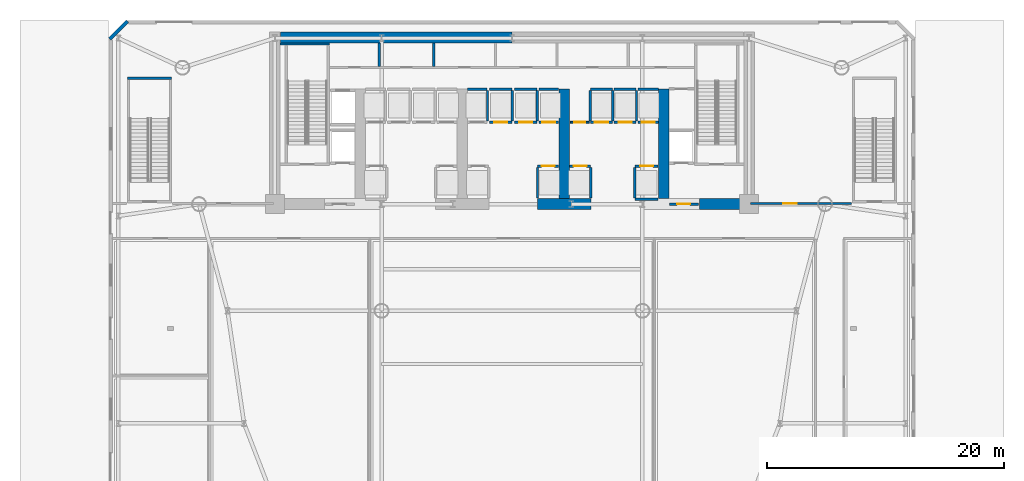
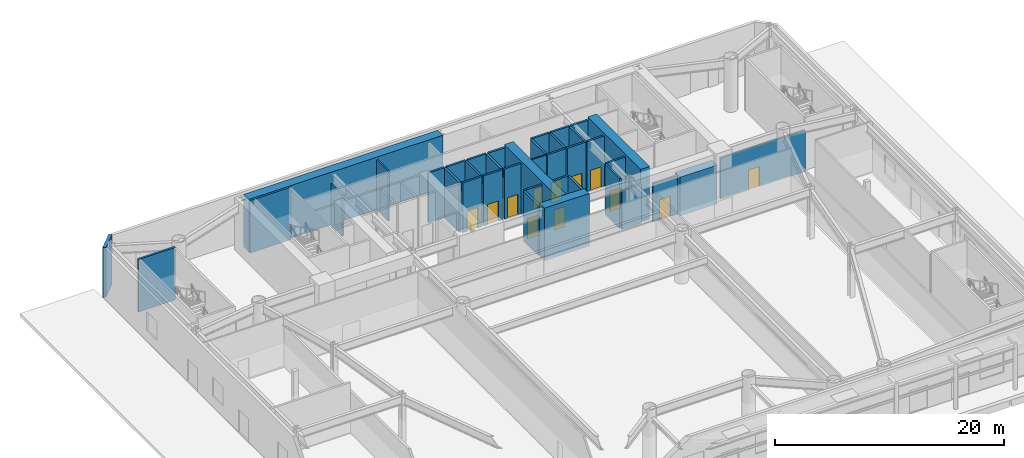
# One storey, part 9 of 20: 39 walls, 12 doors, 12 openings.
"""IFC4 building model written with IfcOpenShell, lengths in metres."""

from ifc_helpers import new_model, si_unit, direction, frame, frame_2d, origin, place, context, subcontext, project, spatial, rectangle, extrude, source, transform, mapped, material, layer, layer_set, type_object, element, fill, save


model = new_model("IFC4")

# Units and contexts
model_context = context("Model", 3, precision=1e-05, world=origin(), true_north=direction((0.0, 1.0)))
body_context = subcontext(model_context, "Body", "Model", "MODEL_VIEW")
ifc_project = project(units=[si_unit("LENGTHUNIT", "METRE"), si_unit("AREAUNIT", "SQUARE_METRE"), si_unit("VOLUMEUNIT", "CUBIC_METRE"), si_unit("PLANEANGLEUNIT", "RADIAN"), si_unit("MASSUNIT", "GRAM", prefix="KILO")], contexts=[model_context])

# Site, building, storey
site_placement = place(None, origin())
site = spatial("IfcSite", under=ifc_project, at=site_placement, CompositionType="ELEMENT")
building_placement = place(site_placement, origin())
building = spatial("IfcBuilding", under=site, at=building_placement, Name="Vaeldorn Concourse Tower", CompositionType="ELEMENT")
storey_placement = place(building_placement, origin())
storey = spatial("IfcBuildingStorey", under=building, at=storey_placement, Name="L00", CompositionType="ELEMENT", Elevation=0.0)

# Walls
ifc_material_1 = material(Name="Concrete C60/75", Category="concrete")
ifc_layer_1 = layer(ifc_material_1, 0.89990234375)
ifc_layer_set_1 = layer_set([ifc_layer_1], Name="Concrete C60/75")
wall_type_1 = type_object("IfcWallType", Name="WL-CORE-900", PredefinedType="SHEAR", material=ifc_layer_set_1)
wall_1_placement = place(storey_placement, frame((14.4541015625, 50.550048828125, 0.0), z_axis=(0.0, 0.0, 1.0), x_axis=(1.0, 0.0, 0.0)))
element("IfcWall", 1, at=wall_1_placement, inside=storey, type_object=wall_type_1, Name="Rear Core Shear Wall L00 N1", PredefinedType="SHEAR", context=body_context, shape_type="SweptSolid", body=[
    extrude(rectangle(XDim=19.5439453125, YDim=0.89990234375, at=frame_2d((9.77197265625, 0.0))), origin(), (0.0, 0.0, 1.0), 5.60009765625),
])
wall_2_placement = place(storey_placement, frame((36.14990234375, 36.5, 0.0), z_axis=(0.0, 0.0, 1.0), x_axis=(1.0, 0.0, 0.0)))
element("IfcWall", 2, at=wall_2_placement, inside=storey, type_object=wall_type_1, Name="Rear Core Shear Wall L00 S3", PredefinedType="SHEAR", context=body_context, shape_type="SweptSolid", body=[
    extrude(rectangle(XDim=4.5, YDim=0.89990234375, at=frame_2d((2.25, 0.0))), origin(), (0.0, 0.0, 1.0), 5.60009765625),
])
wall_3_placement = place(storey_placement, frame((49.800048828125, 36.5, 0.0), z_axis=(0.0, 0.0, 1.0), x_axis=(1.0, 0.0, 0.0)))
element("IfcWall", 3, at=wall_3_placement, inside=storey, type_object=wall_type_1, Name="Rear Core Shear Wall L00 S4", PredefinedType="SHEAR", context=body_context, shape_type="SweptSolid", body=[
    extrude(rectangle(XDim=3.72998046875, YDim=0.89990234375, at=frame_2d((1.864990234375, 0.0))), origin(), (0.0, 0.0, 1.0), 4.1201171875),
])
for number, where, z_axis, x_axis, name in (
    (4, (38.39990234375, 36.969970703125, 0.0), (0.0, 0.0, 1.0), (0.0, 1.0, 0.0), "Rear Core Shear Wall L00 M3"),
    (5, (46.800048828125, 36.969970703125, 0.0), (0.0, 0.0, 1.0), (0.0, 1.0, 0.0), "Rear Core Shear Wall L00 M4"),
):
    element("IfcWall", number, at=place(storey_placement, frame(where, z_axis=z_axis, x_axis=x_axis)), inside=storey, type_object=wall_type_1, Name=name, PredefinedType="SHEAR", context=body_context, shape_type="SweptSolid", body=[
        extrude(rectangle(XDim=9.22998046875, YDim=0.89990234375, at=frame_2d((4.614990234375, 0.0))), origin(), (0.0, 0.0, 1.0), 5.60009765625),
    ])
ifc_material_2 = material(Name="Precast concrete C40/50", Category="concrete")
ifc_layer_2 = layer(ifc_material_2, 0.300048828125)
ifc_layer_set_2 = layer_set([ifc_layer_2], Name="Precast concrete C40/50")
wall_type_2 = type_object("IfcWallType", Name="WL-EXT-STATION-300", PredefinedType="STANDARD", material=ifc_layer_set_2)
wall_4_placement = place(storey_placement, frame((0.079345703125, 50.42919921875, 0.0), z_axis=(0.0, 0.0, 1.0), x_axis=(0.707106781187, 0.707106781187, 0.0)))
element("IfcWall", 6, at=wall_4_placement, inside=storey, type_object=wall_type_2, Name="Station Ground Exterior Wall EW-L00-NW", PredefinedType="STANDARD", context=body_context, shape_type="SweptSolid", body=[
    extrude(rectangle(XDim=2.109130859375, YDim=0.300048828125, at=frame_2d((1.0546875, 0.0))), origin(), (0.0, 0.0, 1.0), 5.320068359375),
])

# Wall, opening, door
ifc_material_3 = material(Name="Gypsum Board Partition", Category="gypsum")
ifc_layer_3 = layer(ifc_material_3, 0.14990234375)
ifc_layer_set_3 = layer_set([ifc_layer_3], Name="Gypsum Board Partition")
wall_type_3 = type_object("IfcWallType", Name="WL-PART-150", PredefinedType="PARTITIONING", material=ifc_layer_set_3)
wall_5_placement = place(storey_placement, frame((38.919921875, 43.39990234375, 0.0), z_axis=(0.0, 0.0, 1.0), x_axis=(1.0, 0.0, 0.0)))
wall_5 = element("IfcWall", 7, at=wall_5_placement, inside=storey, type_object=wall_type_3, Name="Interior Wall CW-L00-CCLINK", PredefinedType="PARTITIONING", context=body_context, shape_type="SweptSolid", body=[
    extrude(rectangle(XDim=1.60009765625, YDim=0.14990234375, at=frame_2d((0.800048828125, 0.0))), origin(), (0.0, 0.0, 1.0), 5.320068359375),
])
opening_1_placement = place(wall_5_placement, frame((0.35009765625, 0.0, 0.0)))
opening_1 = element("IfcOpeningElement", 8, at=opening_1_placement, cuts=wall_5, Name="Opening D-02", PredefinedType="OPENING", context=body_context, shape_type="SweptSolid", body=[
    extrude(rectangle(XDim=0.89990234375, YDim=2.10009765625, at=frame_2d((0.449951171875, 1.050048828125))), frame((0.0, 0.0849609375, 0.0), z_axis=(0.0, -1.0, 0.0), x_axis=(1.0, 0.0, 0.0)), (0.0, 0.0, 1.0), 0.169921875),
])
ifc_material_4 = material(Name="Fire-Rated Timber Leaf", Category="wood")
door_type_1 = type_object("IfcDoorType", Name="DR-FD30-900", OperationType="NOTDEFINED", PredefinedType="DOOR", material=ifc_material_4)
shared_shape_1 = source(origin(), body_context, "Body", "SweptSolid", [
    extrude(rectangle(XDim=0.89990234375, YDim=2.10009765625, at=frame_2d((0.449951171875, 1.050048828125))), frame((0.0, 0.02490234375, 0.0), z_axis=(0.0, -1.0, 0.0), x_axis=(1.0, 0.0, 0.0)), (0.0, 0.0, 1.0), 0.050048828125),
])
door_1_placement = place(opening_1_placement, origin())
door_1 = element("IfcDoor", 9, at=door_1_placement, inside=storey, type_object=door_type_1, Name="Interior Door DR-L00-CCLINK", OperationType="SINGLE_SWING_LEFT", OverallHeight=2.10009765625, OverallWidth=0.89990234375, PredefinedType="DOOR", context=body_context, shape_type="MappedRepresentation", body=[
    mapped(shared_shape_1, transform((0.0, 0.0, 0.0), scale=1.0)),
])
fill(opening_1, door_1)

# Walls
ifc_layer_4 = layer(ifc_material_3, 0.179931640625)
ifc_layer_set_4 = layer_set([ifc_layer_4], Name="Gypsum Board Partition")
wall_type_4 = type_object("IfcWallType", Name="WL-PLUMB-180", PredefinedType="PLUMBINGWALL", material=ifc_layer_set_4)
wall_6_placement = place(storey_placement, frame((22.800048828125, 48.10009765625, 0.0), z_axis=(0.0, 0.0, 1.0), x_axis=(0.0, 1.0, 0.0)))
element("IfcWall", 10, at=wall_6_placement, inside=storey, type_object=wall_type_4, Name="Interior Wall CW-L00-NDIV1", PredefinedType="PLUMBINGWALL", context=body_context, shape_type="SweptSolid", body=[
    extrude(rectangle(XDim=1.97998046875, YDim=0.179931640625, at=frame_2d((0.989990234375, 0.0))), origin(), (0.0, 0.0, 1.0), 4.39990234375),
])
wall_7_placement = place(storey_placement, frame((27.39990234375, 48.10009765625, 0.0), z_axis=(0.0, 0.0, 1.0), x_axis=(0.0, 1.0, 0.0)))
element("IfcWall", 11, at=wall_7_placement, inside=storey, type_object=wall_type_4, Name="Interior Wall CW-L00-NDIV2", PredefinedType="PLUMBINGWALL", context=body_context, shape_type="SweptSolid", body=[
    extrude(rectangle(XDim=1.97998046875, YDim=0.179931640625, at=frame_2d((0.989990234375, 0.0))), origin(), (0.0, 0.0, 1.0), 5.320068359375),
])
ifc_material_5 = material(Name="Concrete C50/60", Category="concrete")
ifc_layer_5 = layer(ifc_material_5, 0.199951171875)
ifc_layer_set_5 = layer_set([ifc_layer_5], Name="Concrete C50/60")
wall_type_5 = type_object("IfcWallType", Name="WL-SHAFT-200", PredefinedType="SOLIDWALL", material=ifc_layer_set_5)
wall_8_placement = place(storey_placement, frame((14.449951171875, 50.0, 0.0), z_axis=(0.0, 0.0, 1.0), x_axis=(1.0, 0.0, 0.0)))
element("IfcWall", 12, at=wall_8_placement, inside=storey, type_object=wall_type_5, Name="Stair Shaft Wall CW-L00-ST-1-N", PredefinedType="SOLIDWALL", context=body_context, shape_type="SweptSolid", body=[
    extrude(rectangle(XDim=4.150146484375, YDim=0.199951171875, at=frame_2d((2.0751953125, 0.0))), origin(), (0.0, 0.0, 1.0), 5.60009765625),
])

# Wall, opening, door
wall_9_placement = place(storey_placement, frame((47.280029296875, 36.5, 0.0), z_axis=(0.0, 0.0, 1.0), x_axis=(1.0, 0.0, 0.0)))
wall_9 = element("IfcWall", 13, at=wall_9_placement, inside=storey, type_object=wall_type_5, Name="Interior Wall CW-L00-FF2S", PredefinedType="SOLIDWALL", context=body_context, shape_type="SweptSolid", body=[
    extrude(rectangle(XDim=2.469970703125, YDim=0.199951171875, at=frame_2d((1.23486328125, 0.0))), origin(), (0.0, 0.0, 1.0), 4.110107421875),
])
opening_2_placement = place(wall_9_placement, frame((0.64990234375, 0.0, 0.0)))
opening_2 = element("IfcOpeningElement", 14, at=opening_2_placement, cuts=wall_9, Name="Opening D-01", PredefinedType="OPENING", context=body_context, shape_type="SweptSolid", body=[
    extrude(rectangle(XDim=1.10009765625, YDim=2.14990234375, at=frame_2d((0.550048828125, 1.074951171875))), frame((0.0, 0.10986328125, 0.0), z_axis=(0.0, -1.0, 0.0), x_axis=(1.0, 0.0, 0.0)), (0.0, 0.0, 1.0), 0.219970703125),
])
ifc_material_6 = material(Name="Fire-Rated Timber and Steel Leaf", Category="steel")
door_type_2 = type_object("IfcDoorType", Name="DR-FD60-1100", OperationType="NOTDEFINED", PredefinedType="DOOR", material=ifc_material_6)
shared_shape_2 = source(origin(), body_context, "Body", "SweptSolid", [
    extrude(rectangle(XDim=1.10009765625, YDim=2.14990234375, at=frame_2d((0.550048828125, 1.074951171875))), frame((0.0, 0.02490234375, 0.0), z_axis=(0.0, -1.0, 0.0), x_axis=(1.0, 0.0, 0.0)), (0.0, 0.0, 1.0), 0.050048828125),
])
door_2_placement = place(opening_2_placement, origin())
door_2 = element("IfcDoor", 15, at=door_2_placement, inside=storey, type_object=door_type_2, Name="Interior Door DR-L00-FF2W", OperationType="SINGLE_SWING_LEFT", OverallHeight=2.14990234375, OverallWidth=1.10009765625, PredefinedType="DOOR", context=body_context, shape_type="MappedRepresentation", body=[
    mapped(shared_shape_2, transform((0.0, 0.0, 0.0), scale=1.0)),
])
fill(opening_2, door_2)

wall_10_placement = place(storey_placement, frame((36.169921875, 39.699951171875, 0.0), z_axis=(0.0, 0.0, 1.0), x_axis=(1.0, 0.0, 0.0)))
wall_10 = element("IfcWall", 16, at=wall_10_placement, inside=storey, type_object=wall_type_5, Name="Interior Wall CW-L00-LF-LF-08", PredefinedType="SOLIDWALL", context=body_context, shape_type="SweptSolid", body=[
    extrude(rectangle(XDim=1.77001953125, YDim=0.199951171875, at=frame_2d((0.885009765625, 0.0))), origin(), (0.0, 0.0, 1.0), 5.320068359375),
])
opening_3_placement = place(wall_10_placement, frame((0.3349609375, 0.0, 0.0)))
opening_3 = element("IfcOpeningElement", 17, at=opening_3_placement, cuts=wall_10, Name="Opening LD-1", PredefinedType="OPENING", context=body_context, shape_type="SweptSolid", body=[
    extrude(rectangle(XDim=1.10009765625, YDim=2.14990234375, at=frame_2d((0.550048828125, 1.074951171875))), frame((0.0, 0.10986328125, 0.0), z_axis=(0.0, -1.0, 0.0), x_axis=(1.0, 0.0, 0.0)), (0.0, 0.0, 1.0), 0.219970703125),
])
ifc_material_7 = material(Name="Anodised Bronze Aluminium", Category="aluminium")
door_type_3 = type_object("IfcDoorType", Name="DR-LIFT-SLIDE-1100", OperationType="DOUBLE_DOOR_SLIDING", PredefinedType="DOOR", material=ifc_material_7)
door_3_placement = place(opening_3_placement, origin())
door_3 = element("IfcDoor", 18, at=door_3_placement, inside=storey, type_object=door_type_3, Name="Lift Landing Door LD-L00-LF-08", OperationType="DOUBLE_DOOR_SLIDING", OverallHeight=2.14990234375, OverallWidth=1.10009765625, PredefinedType="DOOR", context=body_context, shape_type="MappedRepresentation", body=[
    mapped(shared_shape_2, transform((0.0, 0.0, 0.0), scale=1.0)),
])
fill(opening_3, door_3)

# Walls
wall_11_placement = place(storey_placement, frame((36.14990234375, 37.02001953125, 0.0), z_axis=(0.0, 0.0, 1.0), x_axis=(0.0, 1.0, 0.0)))
element("IfcWall", 19, at=wall_11_placement, inside=storey, type_object=wall_type_5, Name="Interior Wall CW-L00-LFW-LF-08", PredefinedType="SOLIDWALL", context=body_context, shape_type="SweptSolid", body=[
    extrude(rectangle(XDim=2.56005859375, YDim=0.199951171875, at=frame_2d((1.280029296875, 0.0))), origin(), (0.0, 0.0, 1.0), 5.320068359375),
])
wall_12_placement = place(storey_placement, frame((30.260009765625, 46.199951171875, 0.0), z_axis=(0.0, 0.0, 1.0), x_axis=(1.0, 0.0, 0.0)))
element("IfcWall", 20, at=wall_12_placement, inside=storey, type_object=wall_type_5, Name="Interior Wall CW-L00-LFB-LF-09", PredefinedType="SOLIDWALL", context=body_context, shape_type="SweptSolid", body=[
    extrude(rectangle(XDim=1.64990234375, YDim=0.199951171875, at=frame_2d((0.824951171875, 0.0))), origin(), (0.0, 0.0, 1.0), 5.320068359375),
])
wall_13_placement = place(storey_placement, frame((31.929931640625, 43.52001953125, 0.0), z_axis=(0.0, 0.0, 1.0), x_axis=(0.0, 1.0, 0.0)))
element("IfcWall", 21, at=wall_13_placement, inside=storey, type_object=wall_type_5, Name="Interior Wall CW-L00-LFE-LF-09", PredefinedType="SOLIDWALL", context=body_context, shape_type="SweptSolid", body=[
    extrude(rectangle(XDim=2.56005859375, YDim=0.199951171875, at=frame_2d((1.280029296875, 0.0))), origin(), (0.0, 0.0, 1.0), 5.320068359375),
])

# Wall, opening, door
wall_14_placement = place(storey_placement, frame((32.090087890625, 43.39990234375, 0.0), z_axis=(0.0, 0.0, 1.0), x_axis=(1.0, 0.0, 0.0)))
wall_14 = element("IfcWall", 22, at=wall_14_placement, inside=storey, type_object=wall_type_5, Name="Interior Wall CW-L00-LF-LF-10", PredefinedType="SOLIDWALL", context=body_context, shape_type="SweptSolid", body=[
    extrude(rectangle(XDim=1.919921875, YDim=0.199951171875, at=frame_2d((0.9599609375, 0.0))), origin(), (0.0, 0.0, 1.0), 5.320068359375),
])
opening_4_placement = place(wall_14_placement, frame((0.409912109375, 0.0, 0.0)))
opening_4 = element("IfcOpeningElement", 23, at=opening_4_placement, cuts=wall_14, Name="Opening LD-1", PredefinedType="OPENING", context=body_context, shape_type="SweptSolid", body=[
    extrude(rectangle(XDim=1.10009765625, YDim=2.14990234375, at=frame_2d((0.550048828125, 1.074951171875))), frame((0.0, 0.10986328125, 0.0), z_axis=(0.0, -1.0, 0.0), x_axis=(1.0, 0.0, 0.0)), (0.0, 0.0, 1.0), 0.219970703125),
])
door_4_placement = place(opening_4_placement, origin())
door_4 = element("IfcDoor", 24, at=door_4_placement, inside=storey, type_object=door_type_3, Name="Lift Landing Door LD-L00-LF-10", OperationType="DOUBLE_DOOR_SLIDING", OverallHeight=2.14990234375, OverallWidth=1.10009765625, PredefinedType="DOOR", context=body_context, shape_type="MappedRepresentation", body=[
    mapped(shared_shape_2, transform((0.0, 0.0, 0.0), scale=1.0)),
])
fill(opening_4, door_4)

# Walls
wall_15_placement = place(storey_placement, frame((32.090087890625, 46.199951171875, 0.0), z_axis=(0.0, 0.0, 1.0), x_axis=(1.0, 0.0, 0.0)))
element("IfcWall", 25, at=wall_15_placement, inside=storey, type_object=wall_type_5, Name="Interior Wall CW-L00-LFB-LF-10", PredefinedType="SOLIDWALL", context=body_context, shape_type="SweptSolid", body=[
    extrude(rectangle(XDim=1.919921875, YDim=0.199951171875, at=frame_2d((0.9599609375, 0.0))), origin(), (0.0, 0.0, 1.0), 5.320068359375),
])
wall_16_placement = place(storey_placement, frame((34.030029296875, 43.52001953125, 0.0), z_axis=(0.0, 0.0, 1.0), x_axis=(0.0, 1.0, 0.0)))
element("IfcWall", 26, at=wall_16_placement, inside=storey, type_object=wall_type_5, Name="Interior Wall CW-L00-LFE-LF-10", PredefinedType="SOLIDWALL", context=body_context, shape_type="SweptSolid", body=[
    extrude(rectangle(XDim=2.56005859375, YDim=0.199951171875, at=frame_2d((1.280029296875, 0.0))), origin(), (0.0, 0.0, 1.0), 5.320068359375),
])

# Wall, opening, door
wall_17_placement = place(storey_placement, frame((34.18994140625, 43.39990234375, 0.0), z_axis=(0.0, 0.0, 1.0), x_axis=(1.0, 0.0, 0.0)))
wall_17 = element("IfcWall", 27, at=wall_17_placement, inside=storey, type_object=wall_type_5, Name="Interior Wall CW-L00-LF-LF-11", PredefinedType="SOLIDWALL", context=body_context, shape_type="SweptSolid", body=[
    extrude(rectangle(XDim=1.920166015625, YDim=0.199951171875, at=frame_2d((0.9599609375, 0.0))), origin(), (0.0, 0.0, 1.0), 5.320068359375),
])
opening_5_placement = place(wall_17_placement, frame((0.409912109375, 0.0, 0.0)))
opening_5 = element("IfcOpeningElement", 28, at=opening_5_placement, cuts=wall_17, Name="Opening LD-1", PredefinedType="OPENING", context=body_context, shape_type="SweptSolid", body=[
    extrude(rectangle(XDim=1.10009765625, YDim=2.14990234375, at=frame_2d((0.550048828125, 1.074951171875))), frame((0.0, 0.10986328125, 0.0), z_axis=(0.0, -1.0, 0.0), x_axis=(1.0, 0.0, 0.0)), (0.0, 0.0, 1.0), 0.219970703125),
])
door_5_placement = place(opening_5_placement, origin())
door_5 = element("IfcDoor", 29, at=door_5_placement, inside=storey, type_object=door_type_3, Name="Lift Landing Door LD-L00-LF-11", OperationType="DOUBLE_DOOR_SLIDING", OverallHeight=2.14990234375, OverallWidth=1.10009765625, PredefinedType="DOOR", context=body_context, shape_type="MappedRepresentation", body=[
    mapped(shared_shape_2, transform((0.0, 0.0, 0.0), scale=1.0)),
])
fill(opening_5, door_5)

# Walls
wall_18_placement = place(storey_placement, frame((34.18994140625, 46.199951171875, 0.0), z_axis=(0.0, 0.0, 1.0), x_axis=(1.0, 0.0, 0.0)))
element("IfcWall", 30, at=wall_18_placement, inside=storey, type_object=wall_type_5, Name="Interior Wall CW-L00-LFB-LF-11", PredefinedType="SOLIDWALL", context=body_context, shape_type="SweptSolid", body=[
    extrude(rectangle(XDim=1.920166015625, YDim=0.199951171875, at=frame_2d((0.9599609375, 0.0))), origin(), (0.0, 0.0, 1.0), 5.320068359375),
])
wall_19_placement = place(storey_placement, frame((36.1298828125, 43.52001953125, 0.0), z_axis=(0.0, 0.0, 1.0), x_axis=(0.0, 1.0, 0.0)))
element("IfcWall", 31, at=wall_19_placement, inside=storey, type_object=wall_type_5, Name="Interior Wall CW-L00-LFE-LF-11", PredefinedType="SOLIDWALL", context=body_context, shape_type="SweptSolid", body=[
    extrude(rectangle(XDim=2.56005859375, YDim=0.199951171875, at=frame_2d((1.280029296875, 0.0))), origin(), (0.0, 0.0, 1.0), 5.320068359375),
])

# Wall, opening, door
wall_20_placement = place(storey_placement, frame((36.2900390625, 43.39990234375, 0.0), z_axis=(0.0, 0.0, 1.0), x_axis=(1.0, 0.0, 0.0)))
wall_20 = element("IfcWall", 32, at=wall_20_placement, inside=storey, type_object=wall_type_5, Name="Interior Wall CW-L00-LF-LF-12", PredefinedType="SOLIDWALL", context=body_context, shape_type="SweptSolid", body=[
    extrude(rectangle(XDim=1.64990234375, YDim=0.199951171875, at=frame_2d((0.824951171875, 0.0))), origin(), (0.0, 0.0, 1.0), 5.320068359375),
])
opening_6_placement = place(wall_20_placement, frame((0.27490234375, 0.0, 0.0)))
opening_6 = element("IfcOpeningElement", 33, at=opening_6_placement, cuts=wall_20, Name="Opening LD-1", PredefinedType="OPENING", context=body_context, shape_type="SweptSolid", body=[
    extrude(rectangle(XDim=1.10009765625, YDim=2.14990234375, at=frame_2d((0.550048828125, 1.074951171875))), frame((0.0, 0.10986328125, 0.0), z_axis=(0.0, -1.0, 0.0), x_axis=(1.0, 0.0, 0.0)), (0.0, 0.0, 1.0), 0.219970703125),
])
door_6_placement = place(opening_6_placement, origin())
door_6 = element("IfcDoor", 34, at=door_6_placement, inside=storey, type_object=door_type_3, Name="Lift Landing Door LD-L00-LF-12", OperationType="DOUBLE_DOOR_SLIDING", OverallHeight=2.14990234375, OverallWidth=1.10009765625, PredefinedType="DOOR", context=body_context, shape_type="MappedRepresentation", body=[
    mapped(shared_shape_2, transform((0.0, 0.0, 0.0), scale=1.0)),
])
fill(opening_6, door_6)

# Wall
wall_21_placement = place(storey_placement, frame((36.2900390625, 46.199951171875, 0.0), z_axis=(0.0, 0.0, 1.0), x_axis=(1.0, 0.0, 0.0)))
element("IfcWall", 35, at=wall_21_placement, inside=storey, type_object=wall_type_5, Name="Interior Wall CW-L00-LFB-LF-12", PredefinedType="SOLIDWALL", context=body_context, shape_type="SweptSolid", body=[
    extrude(rectangle(XDim=1.64990234375, YDim=0.199951171875, at=frame_2d((0.824951171875, 0.0))), origin(), (0.0, 0.0, 1.0), 5.320068359375),
])

# Wall, opening, door
wall_22_placement = place(storey_placement, frame((38.860107421875, 39.699951171875, 0.0), z_axis=(0.0, 0.0, 1.0), x_axis=(1.0, 0.0, 0.0)))
wall_22 = element("IfcWall", 36, at=wall_22_placement, inside=storey, type_object=wall_type_5, Name="Interior Wall CW-L00-LF-LF-13", PredefinedType="SOLIDWALL", context=body_context, shape_type="SweptSolid", body=[
    extrude(rectangle(XDim=1.769775390625, YDim=0.199951171875, at=frame_2d((0.884765625, 0.0))), origin(), (0.0, 0.0, 1.0), 5.320068359375),
])
opening_7_placement = place(wall_22_placement, frame((0.3349609375, 0.0, 0.0)))
opening_7 = element("IfcOpeningElement", 37, at=opening_7_placement, cuts=wall_22, Name="Opening LD-1", PredefinedType="OPENING", context=body_context, shape_type="SweptSolid", body=[
    extrude(rectangle(XDim=1.10009765625, YDim=2.14990234375, at=frame_2d((0.550048828125, 1.074951171875))), frame((0.0, 0.10986328125, 0.0), z_axis=(0.0, -1.0, 0.0), x_axis=(1.0, 0.0, 0.0)), (0.0, 0.0, 1.0), 0.219970703125),
])
door_7_placement = place(opening_7_placement, origin())
door_7 = element("IfcDoor", 38, at=door_7_placement, inside=storey, type_object=door_type_3, Name="Lift Landing Door LD-L00-LF-13", OperationType="DOUBLE_DOOR_SLIDING", OverallHeight=2.14990234375, OverallWidth=1.10009765625, PredefinedType="DOOR", context=body_context, shape_type="MappedRepresentation", body=[
    mapped(shared_shape_2, transform((0.0, 0.0, 0.0), scale=1.0)),
])
fill(opening_7, door_7)

# Wall
wall_23_placement = place(storey_placement, frame((40.64990234375, 37.02001953125, 0.0), z_axis=(0.0, 0.0, 1.0), x_axis=(0.0, 1.0, 0.0)))
element("IfcWall", 39, at=wall_23_placement, inside=storey, type_object=wall_type_5, Name="Interior Wall CW-L00-LFE-LF-13", PredefinedType="SOLIDWALL", context=body_context, shape_type="SweptSolid", body=[
    extrude(rectangle(XDim=2.56005859375, YDim=0.199951171875, at=frame_2d((1.280029296875, 0.0))), origin(), (0.0, 0.0, 1.0), 5.320068359375),
])

# Wall, opening, door
wall_24_placement = place(storey_placement, frame((44.3701171875, 39.699951171875, 0.0), z_axis=(0.0, 0.0, 1.0), x_axis=(1.0, 0.0, 0.0)))
wall_24 = element("IfcWall", 40, at=wall_24_placement, inside=storey, type_object=wall_type_5, Name="Interior Wall CW-L00-LF-LF-14", PredefinedType="SOLIDWALL", context=body_context, shape_type="SweptSolid", body=[
    extrude(rectangle(XDim=1.9599609375, YDim=0.199951171875, at=frame_2d((0.97998046875, 0.0))), origin(), (0.0, 0.0, 1.0), 5.320068359375),
])
opening_8_placement = place(wall_24_placement, frame((0.429931640625, 0.0, 0.0)))
opening_8 = element("IfcOpeningElement", 41, at=opening_8_placement, cuts=wall_24, Name="Opening LD-1", PredefinedType="OPENING", context=body_context, shape_type="SweptSolid", body=[
    extrude(rectangle(XDim=1.10009765625, YDim=2.14990234375, at=frame_2d((0.550048828125, 1.074951171875))), frame((0.0, 0.10986328125, 0.0), z_axis=(0.0, -1.0, 0.0), x_axis=(1.0, 0.0, 0.0)), (0.0, 0.0, 1.0), 0.219970703125),
])
door_8_placement = place(opening_8_placement, origin())
door_8 = element("IfcDoor", 42, at=door_8_placement, inside=storey, type_object=door_type_3, Name="Lift Landing Door LD-L00-LF-14", OperationType="DOUBLE_DOOR_SLIDING", OverallHeight=2.14990234375, OverallWidth=1.10009765625, PredefinedType="DOOR", context=body_context, shape_type="MappedRepresentation", body=[
    mapped(shared_shape_2, transform((0.0, 0.0, 0.0), scale=1.0)),
])
fill(opening_8, door_8)

# Walls
wall_25_placement = place(storey_placement, frame((44.3701171875, 36.89990234375, 0.0), z_axis=(0.0, 0.0, 1.0), x_axis=(1.0, 0.0, 0.0)))
element("IfcWall", 43, at=wall_25_placement, inside=storey, type_object=wall_type_5, Name="Interior Wall CW-L00-LFB-LF-14", PredefinedType="SOLIDWALL", context=body_context, shape_type="SweptSolid", body=[
    extrude(rectangle(XDim=1.9599609375, YDim=0.199951171875, at=frame_2d((0.97998046875, 0.0))), origin(), (0.0, 0.0, 1.0), 4.110107421875),
])
wall_26_placement = place(storey_placement, frame((44.35009765625, 37.02001953125, 0.0), z_axis=(0.0, 0.0, 1.0), x_axis=(0.0, 1.0, 0.0)))
element("IfcWall", 44, at=wall_26_placement, inside=storey, type_object=wall_type_5, Name="Interior Wall CW-L00-LFW-LF-14", PredefinedType="SOLIDWALL", context=body_context, shape_type="SweptSolid", body=[
    extrude(rectangle(XDim=2.56005859375, YDim=0.199951171875, at=frame_2d((1.280029296875, 0.0))), origin(), (0.0, 0.0, 1.0), 5.320068359375),
])

# Wall, opening, door
wall_27_placement = place(storey_placement, frame((40.6201171875, 43.39990234375, 0.0), z_axis=(0.0, 0.0, 1.0), x_axis=(1.0, 0.0, 0.0)))
wall_27 = element("IfcWall", 45, at=wall_27_placement, inside=storey, type_object=wall_type_5, Name="Interior Wall CW-L00-LF-LF-15", PredefinedType="SOLIDWALL", context=body_context, shape_type="SweptSolid", body=[
    extrude(rectangle(XDim=1.85986328125, YDim=0.199951171875, at=frame_2d((0.929931640625, 0.0))), origin(), (0.0, 0.0, 1.0), 5.320068359375),
])
opening_9_placement = place(wall_27_placement, frame((0.3798828125, 0.0, 0.0)))
opening_9 = element("IfcOpeningElement", 46, at=opening_9_placement, cuts=wall_27, Name="Opening LD-1", PredefinedType="OPENING", context=body_context, shape_type="SweptSolid", body=[
    extrude(rectangle(XDim=1.10009765625, YDim=2.14990234375, at=frame_2d((0.550048828125, 1.074951171875))), frame((0.0, 0.10986328125, 0.0), z_axis=(0.0, -1.0, 0.0), x_axis=(1.0, 0.0, 0.0)), (0.0, 0.0, 1.0), 0.219970703125),
])
door_9_placement = place(opening_9_placement, origin())
door_9 = element("IfcDoor", 47, at=door_9_placement, inside=storey, type_object=door_type_3, Name="Lift Landing Door LD-L00-LF-15", OperationType="DOUBLE_DOOR_SLIDING", OverallHeight=2.14990234375, OverallWidth=1.10009765625, PredefinedType="DOOR", context=body_context, shape_type="MappedRepresentation", body=[
    mapped(shared_shape_2, transform((0.0, 0.0, 0.0), scale=1.0)),
])
fill(opening_9, door_9)

# Walls
wall_28_placement = place(storey_placement, frame((40.6201171875, 46.199951171875, 0.0), z_axis=(0.0, 0.0, 1.0), x_axis=(1.0, 0.0, 0.0)))
element("IfcWall", 48, at=wall_28_placement, inside=storey, type_object=wall_type_5, Name="Interior Wall CW-L00-LFB-LF-15", PredefinedType="SOLIDWALL", context=body_context, shape_type="SweptSolid", body=[
    extrude(rectangle(XDim=1.85986328125, YDim=0.199951171875, at=frame_2d((0.929931640625, 0.0))), origin(), (0.0, 0.0, 1.0), 5.320068359375),
])
for number, where, z_axis, x_axis, name in (
    (49, (40.60009765625, 43.52001953125, 0.0), (0.0, 0.0, 1.0), (0.0, 1.0, 0.0), "Interior Wall CW-L00-LFW-LF-15"),
    (50, (42.5, 43.52001953125, 0.0), (0.0, 0.0, 1.0), (0.0, 1.0, 0.0), "Interior Wall CW-L00-LFE-LF-15"),
):
    element("IfcWall", number, at=place(storey_placement, frame(where, z_axis=z_axis, x_axis=x_axis)), inside=storey, type_object=wall_type_5, Name=name, PredefinedType="SOLIDWALL", context=body_context, shape_type="SweptSolid", body=[
        extrude(rectangle(XDim=2.56005859375, YDim=0.199951171875, at=frame_2d((1.280029296875, 0.0))), origin(), (0.0, 0.0, 1.0), 5.320068359375),
    ])

# Wall, opening, door
wall_29_placement = place(storey_placement, frame((42.6201171875, 43.39990234375, 0.0), z_axis=(0.0, 0.0, 1.0), x_axis=(1.0, 0.0, 0.0)))
wall_29 = element("IfcWall", 51, at=wall_29_placement, inside=storey, type_object=wall_type_5, Name="Interior Wall CW-L00-LF-LF-16", PredefinedType="SOLIDWALL", context=body_context, shape_type="SweptSolid", body=[
    extrude(rectangle(XDim=1.85986328125, YDim=0.199951171875, at=frame_2d((0.929931640625, 0.0))), origin(), (0.0, 0.0, 1.0), 5.320068359375),
])
opening_10_placement = place(wall_29_placement, frame((0.3798828125, 0.0, 0.0)))
opening_10 = element("IfcOpeningElement", 52, at=opening_10_placement, cuts=wall_29, Name="Opening LD-1", PredefinedType="OPENING", context=body_context, shape_type="SweptSolid", body=[
    extrude(rectangle(XDim=1.10009765625, YDim=2.14990234375, at=frame_2d((0.550048828125, 1.074951171875))), frame((0.0, 0.10986328125, 0.0), z_axis=(0.0, -1.0, 0.0), x_axis=(1.0, 0.0, 0.0)), (0.0, 0.0, 1.0), 0.219970703125),
])
door_10_placement = place(opening_10_placement, origin())
door_10 = element("IfcDoor", 53, at=door_10_placement, inside=storey, type_object=door_type_3, Name="Lift Landing Door LD-L00-LF-16", OperationType="DOUBLE_DOOR_SLIDING", OverallHeight=2.14990234375, OverallWidth=1.10009765625, PredefinedType="DOOR", context=body_context, shape_type="MappedRepresentation", body=[
    mapped(shared_shape_2, transform((0.0, 0.0, 0.0), scale=1.0)),
])
fill(opening_10, door_10)

# Walls
wall_30_placement = place(storey_placement, frame((42.6201171875, 46.199951171875, 0.0), z_axis=(0.0, 0.0, 1.0), x_axis=(1.0, 0.0, 0.0)))
element("IfcWall", 54, at=wall_30_placement, inside=storey, type_object=wall_type_5, Name="Interior Wall CW-L00-LFB-LF-16", PredefinedType="SOLIDWALL", context=body_context, shape_type="SweptSolid", body=[
    extrude(rectangle(XDim=1.85986328125, YDim=0.199951171875, at=frame_2d((0.929931640625, 0.0))), origin(), (0.0, 0.0, 1.0), 5.320068359375),
])
wall_31_placement = place(storey_placement, frame((44.5, 43.52001953125, 0.0), z_axis=(0.0, 0.0, 1.0), x_axis=(0.0, 1.0, 0.0)))
element("IfcWall", 55, at=wall_31_placement, inside=storey, type_object=wall_type_5, Name="Interior Wall CW-L00-LFE-LF-16", PredefinedType="SOLIDWALL", context=body_context, shape_type="SweptSolid", body=[
    extrude(rectangle(XDim=2.56005859375, YDim=0.199951171875, at=frame_2d((1.280029296875, 0.0))), origin(), (0.0, 0.0, 1.0), 5.320068359375),
])

# Wall, opening, door
wall_32_placement = place(storey_placement, frame((44.6201171875, 43.39990234375, 0.0), z_axis=(0.0, 0.0, 1.0), x_axis=(1.0, 0.0, 0.0)))
wall_32 = element("IfcWall", 56, at=wall_32_placement, inside=storey, type_object=wall_type_5, Name="Interior Wall CW-L00-LF-LF-17", PredefinedType="SOLIDWALL", context=body_context, shape_type="SweptSolid", body=[
    extrude(rectangle(XDim=1.719970703125, YDim=0.199951171875, at=frame_2d((0.85986328125, 0.0))), origin(), (0.0, 0.0, 1.0), 5.320068359375),
])
opening_11_placement = place(wall_32_placement, frame((0.31005859375, 0.0, 0.0)))
opening_11 = element("IfcOpeningElement", 57, at=opening_11_placement, cuts=wall_32, Name="Opening LD-1", PredefinedType="OPENING", context=body_context, shape_type="SweptSolid", body=[
    extrude(rectangle(XDim=1.10009765625, YDim=2.14990234375, at=frame_2d((0.550048828125, 1.074951171875))), frame((0.0, 0.10986328125, 0.0), z_axis=(0.0, -1.0, 0.0), x_axis=(1.0, 0.0, 0.0)), (0.0, 0.0, 1.0), 0.219970703125),
])
door_11_placement = place(opening_11_placement, origin())
door_11 = element("IfcDoor", 58, at=door_11_placement, inside=storey, type_object=door_type_3, Name="Lift Landing Door LD-L00-LF-17", OperationType="DOUBLE_DOOR_SLIDING", OverallHeight=2.14990234375, OverallWidth=1.10009765625, PredefinedType="DOOR", context=body_context, shape_type="MappedRepresentation", body=[
    mapped(shared_shape_2, transform((0.0, 0.0, 0.0), scale=1.0)),
])
fill(opening_11, door_11)

# Walls
wall_33_placement = place(storey_placement, frame((44.6201171875, 46.199951171875, 0.0), z_axis=(0.0, 0.0, 1.0), x_axis=(1.0, 0.0, 0.0)))
element("IfcWall", 59, at=wall_33_placement, inside=storey, type_object=wall_type_5, Name="Interior Wall CW-L00-LFB-LF-17", PredefinedType="SOLIDWALL", context=body_context, shape_type="SweptSolid", body=[
    extrude(rectangle(XDim=1.719970703125, YDim=0.199951171875, at=frame_2d((0.85986328125, 0.0))), origin(), (0.0, 0.0, 1.0), 5.320068359375),
])
wall_34_placement = place(storey_placement, frame((1.550048828125, 47.10009765625, 0.0), z_axis=(0.0, 0.0, 1.0), x_axis=(1.0, 0.0, 0.0)))
element("IfcWall", 60, at=wall_34_placement, inside=storey, type_object=wall_type_5, Name="Stair Shaft Wall CW-L00-ST-3-N", PredefinedType="SOLIDWALL", context=body_context, shape_type="SweptSolid", body=[
    extrude(rectangle(XDim=3.75, YDim=0.199951171875, at=frame_2d((1.875, 0.0))), origin(), (0.0, 0.0, 1.0), 5.60009765625),
])

# Wall, opening, door
wall_35_placement = place(storey_placement, frame((54.10009765625, 36.550048828125, 0.0), z_axis=(0.0, 0.0, 1.0), x_axis=(1.0, 0.0, 0.0)))
wall_35 = element("IfcWall", 61, at=wall_35_placement, inside=storey, type_object=wall_type_5, Name="Interior Wall PW-L00-BNE1", PredefinedType="SOLIDWALL", context=body_context, shape_type="SweptSolid", body=[
    extrude(rectangle(XDim=8.5498046875, YDim=0.199951171875, at=frame_2d((4.27490234375, 0.0))), origin(), (0.0, 0.0, 1.0), 4.39990234375),
])
opening_12_placement = place(wall_35_placement, frame((2.800048828125, 0.0, 0.0)))
opening_12 = element("IfcOpeningElement", 62, at=opening_12_placement, cuts=wall_35, Name="Opening D-01", PredefinedType="OPENING", context=body_context, shape_type="SweptSolid", body=[
    extrude(rectangle(XDim=1.10009765625, YDim=2.14990234375, at=frame_2d((0.550048828125, 1.074951171875))), frame((0.0, 0.10986328125, 0.0), z_axis=(0.0, -1.0, 0.0), x_axis=(1.0, 0.0, 0.0)), (0.0, 0.0, 1.0), 0.219970703125),
])
door_12_placement = place(opening_12_placement, origin())
door_12 = element("IfcDoor", 63, at=door_12_placement, inside=storey, type_object=door_type_2, Name="Interior Door DR-L00-BOHE", OperationType="SINGLE_SWING_RIGHT", OverallHeight=2.14990234375, OverallWidth=1.10009765625, PredefinedType="DOOR", context=body_context, shape_type="MappedRepresentation", body=[
    mapped(shared_shape_2, transform((0.0, 0.0, 0.0), scale=1.0)),
])
fill(opening_12, door_12)

save(model, "model.ifc")
